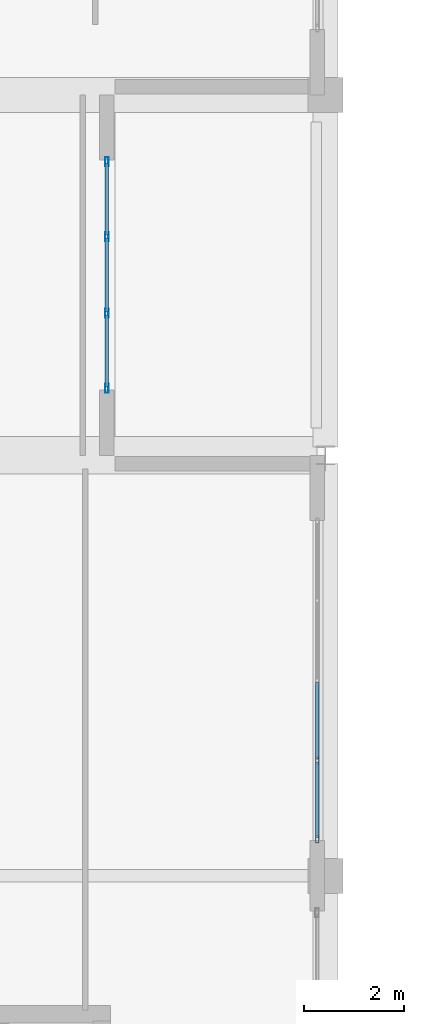
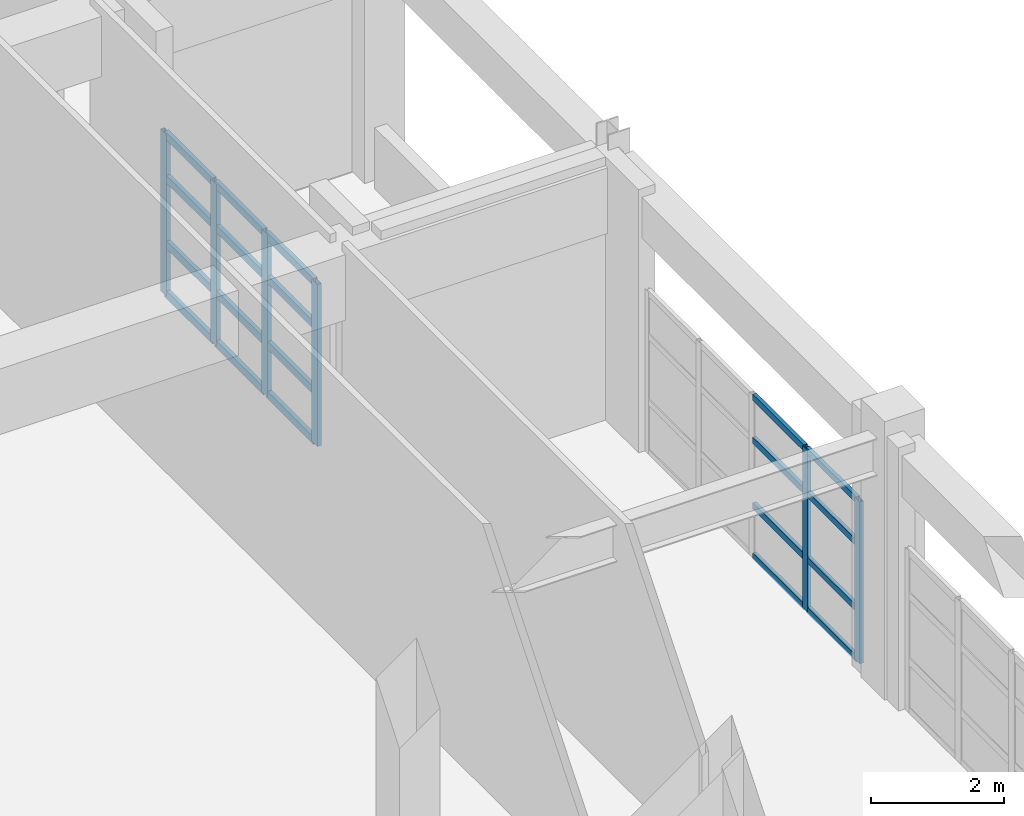
# One storey, part 21 of 103: 26 members, 2 elements without a shape of their own.
"""IFC4 building model written with IfcOpenShell, lengths in metres."""

from ifc_helpers import new_model, si_unit, direction, frame, origin, origin_2d, place, context, subcontext, project, spatial, hollow_rectangle, extrude, material, layer, layer_set, material_profile, profile_set, type_object, element, aggregate, save


model = new_model("IFC4")

# Units and contexts
model_context = context("Model", 3, precision=1e-05, world=origin(), true_north=direction((0.0, 1.0)))
body_context = subcontext(model_context, "Body", "Model", "MODEL_VIEW")
ifc_project = project(units=[si_unit("LENGTHUNIT", "METRE"), si_unit("AREAUNIT", "SQUARE_METRE"), si_unit("VOLUMEUNIT", "CUBIC_METRE"), si_unit("PLANEANGLEUNIT", "RADIAN"), si_unit("MASSUNIT", "GRAM", prefix="KILO")], contexts=[model_context])

# Site, building, storey
site_placement = place(None, origin())
site = spatial("IfcSite", under=ifc_project, at=site_placement, CompositionType="ELEMENT")
building_placement = place(site_placement, origin())
building = spatial("IfcBuilding", under=site, at=building_placement, Name="Quendrovan Civic Courthouse", CompositionType="ELEMENT")
storey_placement = place(building_placement, frame((0.0, 0.0, 15.300048828125)))
storey = spatial("IfcBuildingStorey", under=building, at=storey_placement, Name="L04", CompositionType="ELEMENT", Elevation=15.300048828125)

# Curtain wall, members
ifc_material_1 = material(Name="Bronze anodised aluminium and low-E glass", Category="aluminium")
ifc_layer_1 = layer(ifc_material_1, 0.179931640625, Name="Bronze anodised aluminium and low-E glass")
ifc_layer_set_1 = layer_set([ifc_layer_1], Name="Bronze anodised aluminium and low-E glass")
curtain_wall_type_1 = type_object("IfcCurtainWallType", Name="CW-U46x30", PredefinedType="USERDEFINED", material=ifc_layer_set_1)
curtain_wall_1_placement = place(storey_placement, origin())
curtain_wall_1 = element("IfcCurtainWall", 1, at=curtain_wall_1_placement, inside=storey, type_object=curtain_wall_type_1, Name="L04 Unitised Hurricane Curtain Wall CW-148", ObjectType="UNITISED CURTAIN WALL", PredefinedType="USERDEFINED")
ifc_material_2 = material(Name="Bronze anodised aluminium", Category="aluminium")
ifc_material_profile_1 = material_profile(ifc_material_2, hollow_rectangle(XDim=0.070068359375, YDim=0.179931640625, WallThickness=0.00390625, at=origin_2d()), Name="CW-MULL-70x180")
ifc_profile_set_1 = profile_set([ifc_material_profile_1], Name="Bronze anodised aluminium")
member_type_1 = type_object("IfcMemberType", Name="CW-MULL-A", PredefinedType="MULLION", material=ifc_profile_set_1)
member_1_placement = place(storey_placement, frame((12.43505859375, 79.06494140625, 0.0), z_axis=(0.0, 0.0, 1.0), x_axis=(1.0, 0.0, 0.0)))
member_1 = element("IfcMember", 2, at=member_1_placement, type_object=member_type_1, Name="CW-148 mullion 1", PredefinedType="MULLION", context=body_context, shape_type="SweptSolid", body=[
    extrude(hollow_rectangle(XDim=0.070068359375, YDim=0.179931640625, WallThickness=0.00390625, at=origin_2d()), origin(), (0.0, 0.0, 1.0), 2.969970703125),
])
member_2_placement = place(storey_placement, frame((12.43505859375, 77.566650390625, 0.0), z_axis=(0.0, 0.0, 1.0), x_axis=(1.0, 0.0, 0.0)))
member_2 = element("IfcMember", 3, at=member_2_placement, type_object=member_type_1, Name="CW-148 mullion 2", PredefinedType="MULLION", context=body_context, shape_type="SweptSolid", body=[
    extrude(hollow_rectangle(XDim=0.070068359375, YDim=0.179931640625, WallThickness=0.00390625, at=origin_2d()), origin(), (0.0, 0.0, 1.0), 2.969970703125),
])
member_3_placement = place(storey_placement, frame((12.43505859375, 76.033447265625, 0.0), z_axis=(0.0, 0.0, 1.0), x_axis=(1.0, 0.0, 0.0)))
member_3 = element("IfcMember", 4, at=member_3_placement, type_object=member_type_1, Name="CW-148 mullion 3", PredefinedType="MULLION", context=body_context, shape_type="SweptSolid", body=[
    extrude(hollow_rectangle(XDim=0.070068359375, YDim=0.179931640625, WallThickness=0.00390625, at=origin_2d()), origin(), (0.0, 0.0, 1.0), 2.969970703125),
])
member_4_placement = place(storey_placement, frame((12.43505859375, 74.534912109375, 0.0), z_axis=(0.0, 0.0, 1.0), x_axis=(1.0, 0.0, 0.0)))
member_4 = element("IfcMember", 5, at=member_4_placement, type_object=member_type_1, Name="CW-148 mullion 4", PredefinedType="MULLION", context=body_context, shape_type="SweptSolid", body=[
    extrude(hollow_rectangle(XDim=0.070068359375, YDim=0.179931640625, WallThickness=0.00390625, at=origin_2d()), origin(), (0.0, 0.0, 1.0), 2.969970703125),
])

ifc_layer_2 = layer(ifc_material_1, 0.179931640625, Name="Bronze anodised aluminium and low-E glass")
ifc_layer_set_2 = layer_set([ifc_layer_2], Name="Bronze anodised aluminium and low-E glass")
curtain_wall_type_2 = type_object("IfcCurtainWallType", Name="CW-U64x30", PredefinedType="USERDEFINED", material=ifc_layer_set_2)
curtain_wall_2_placement = place(storey_placement, origin())
curtain_wall_2 = element("IfcCurtainWall", 6, at=curtain_wall_2_placement, inside=storey, type_object=curtain_wall_type_2, Name="L04 Unitised Hurricane Curtain Wall CW-149", ObjectType="UNITISED CURTAIN WALL", PredefinedType="USERDEFINED")
ifc_material_profile_2 = material_profile(ifc_material_2, hollow_rectangle(XDim=0.06494140625, YDim=0.14990234375, WallThickness=0.00390625, at=origin_2d()), Name="CW-MULL-65x150")
ifc_profile_set_2 = profile_set([ifc_material_profile_2], Name="Bronze anodised aluminium")
member_type_2 = type_object("IfcMemberType", Name="CW-MULL-B", PredefinedType="MULLION", material=ifc_profile_set_2)
member_5_placement = place(storey_placement, frame((16.635009765625, 67.10009765625, 0.0), z_axis=(0.0, 0.0, 1.0), x_axis=(1.0, 0.0, 0.0)))
member_5 = element("IfcMember", 7, at=member_5_placement, type_object=member_type_2, Name="CW-149 mullion 4", PredefinedType="MULLION", context=body_context, shape_type="SweptSolid", body=[
    extrude(hollow_rectangle(XDim=0.06494140625, YDim=0.14990234375, WallThickness=0.00390625, at=origin_2d()), origin(), (0.0, 0.0, 1.0), 2.969970703125),
])
member_6_placement = place(storey_placement, frame((16.635009765625, 65.532470703125, 0.0), z_axis=(0.0, 0.0, 1.0), x_axis=(1.0, 0.0, 0.0)))
member_6 = element("IfcMember", 8, at=member_6_placement, type_object=member_type_2, Name="CW-149 mullion 5", PredefinedType="MULLION", context=body_context, shape_type="SweptSolid", body=[
    extrude(hollow_rectangle(XDim=0.06494140625, YDim=0.14990234375, WallThickness=0.00390625, at=origin_2d()), origin(), (0.0, 0.0, 1.0), 2.969970703125),
])

# Member
ifc_material_profile_3 = material_profile(ifc_material_2, hollow_rectangle(XDim=0.070068359375, YDim=0.139892578125, WallThickness=0.00390625, at=origin_2d()), Name="CW-TRAN-70x140")
ifc_profile_set_3 = profile_set([ifc_material_profile_3], Name="Bronze anodised aluminium")
member_type_3 = type_object("IfcMemberType", Name="CW-TRAN-A", PredefinedType="USERDEFINED", material=ifc_profile_set_3)
member_7_placement = place(storey_placement, frame((12.43505859375, 79.030029296875, 0.034912109375), z_axis=(0.0, -1.0, 0.0), x_axis=(1.0, 0.0, 0.0)))
member_7 = element("IfcMember", 9, at=member_7_placement, type_object=member_type_3, Name="CW-148 transom 1.1", ObjectType="TRANSOM", PredefinedType="USERDEFINED", context=body_context, shape_type="SweptSolid", body=[
    extrude(hollow_rectangle(XDim=0.070068359375, YDim=0.139892578125, WallThickness=0.00390625, at=origin_2d()), origin(), (0.0, 0.0, 1.0), 1.428466796875),
])

member_8_placement = place(storey_placement, frame((12.43505859375, 79.030029296875, 0.949951171875), z_axis=(0.0, -1.0, 0.0), x_axis=(1.0, 0.0, 0.0)))
member_8 = element("IfcMember", 10, at=member_8_placement, type_object=member_type_3, Name="CW-148 transom 1.2", ObjectType="TRANSOM", PredefinedType="USERDEFINED", context=body_context, shape_type="SweptSolid", body=[
    extrude(hollow_rectangle(XDim=0.070068359375, YDim=0.139892578125, WallThickness=0.00390625, at=origin_2d()), origin(), (0.0, 0.0, 1.0), 1.428466796875),
])

member_9_placement = place(storey_placement, frame((12.43505859375, 79.030029296875, 2.14990234375), z_axis=(0.0, -1.0, 0.0), x_axis=(1.0, 0.0, 0.0)))
member_9 = element("IfcMember", 11, at=member_9_placement, type_object=member_type_3, Name="CW-148 transom 1.3", ObjectType="TRANSOM", PredefinedType="USERDEFINED", context=body_context, shape_type="SweptSolid", body=[
    extrude(hollow_rectangle(XDim=0.070068359375, YDim=0.139892578125, WallThickness=0.00390625, at=origin_2d()), origin(), (0.0, 0.0, 1.0), 1.428466796875),
])

member_10_placement = place(storey_placement, frame((12.43505859375, 79.030029296875, 2.93505859375), z_axis=(0.0, -1.0, 0.0), x_axis=(1.0, 0.0, 0.0)))
member_10 = element("IfcMember", 12, at=member_10_placement, type_object=member_type_3, Name="CW-148 transom 1.4", ObjectType="TRANSOM", PredefinedType="USERDEFINED", context=body_context, shape_type="SweptSolid", body=[
    extrude(hollow_rectangle(XDim=0.070068359375, YDim=0.139892578125, WallThickness=0.00390625, at=origin_2d()), origin(), (0.0, 0.0, 1.0), 1.428466796875),
])

member_11_placement = place(storey_placement, frame((12.43505859375, 77.53173828125, 0.034912109375), z_axis=(0.0, -1.0, 0.0), x_axis=(1.0, 0.0, 0.0)))
member_11 = element("IfcMember", 13, at=member_11_placement, type_object=member_type_3, Name="CW-148 transom 2.1", ObjectType="TRANSOM", PredefinedType="USERDEFINED", context=body_context, shape_type="SweptSolid", body=[
    extrude(hollow_rectangle(XDim=0.070068359375, YDim=0.139892578125, WallThickness=0.00390625, at=origin_2d()), origin(), (0.0, 0.0, 1.0), 1.46337890625),
])

member_12_placement = place(storey_placement, frame((12.43505859375, 77.53173828125, 0.949951171875), z_axis=(0.0, -1.0, 0.0), x_axis=(1.0, 0.0, 0.0)))
member_12 = element("IfcMember", 14, at=member_12_placement, type_object=member_type_3, Name="CW-148 transom 2.2", ObjectType="TRANSOM", PredefinedType="USERDEFINED", context=body_context, shape_type="SweptSolid", body=[
    extrude(hollow_rectangle(XDim=0.070068359375, YDim=0.139892578125, WallThickness=0.00390625, at=origin_2d()), origin(), (0.0, 0.0, 1.0), 1.46337890625),
])

member_13_placement = place(storey_placement, frame((12.43505859375, 77.53173828125, 2.14990234375), z_axis=(0.0, -1.0, 0.0), x_axis=(1.0, 0.0, 0.0)))
member_13 = element("IfcMember", 15, at=member_13_placement, type_object=member_type_3, Name="CW-148 transom 2.3", ObjectType="TRANSOM", PredefinedType="USERDEFINED", context=body_context, shape_type="SweptSolid", body=[
    extrude(hollow_rectangle(XDim=0.070068359375, YDim=0.139892578125, WallThickness=0.00390625, at=origin_2d()), origin(), (0.0, 0.0, 1.0), 1.46337890625),
])

member_14_placement = place(storey_placement, frame((12.43505859375, 77.53173828125, 2.93505859375), z_axis=(0.0, -1.0, 0.0), x_axis=(1.0, 0.0, 0.0)))
member_14 = element("IfcMember", 16, at=member_14_placement, type_object=member_type_3, Name="CW-148 transom 2.4", ObjectType="TRANSOM", PredefinedType="USERDEFINED", context=body_context, shape_type="SweptSolid", body=[
    extrude(hollow_rectangle(XDim=0.070068359375, YDim=0.139892578125, WallThickness=0.00390625, at=origin_2d()), origin(), (0.0, 0.0, 1.0), 1.46337890625),
])

member_15_placement = place(storey_placement, frame((12.43505859375, 75.998291015625, 0.034912109375), z_axis=(0.0, -1.0, 0.0), x_axis=(1.0, 0.0, 0.0)))
member_15 = element("IfcMember", 17, at=member_15_placement, type_object=member_type_3, Name="CW-148 transom 3.1", ObjectType="TRANSOM", PredefinedType="USERDEFINED", context=body_context, shape_type="SweptSolid", body=[
    extrude(hollow_rectangle(XDim=0.070068359375, YDim=0.139892578125, WallThickness=0.00390625, at=origin_2d()), origin(), (0.0, 0.0, 1.0), 1.42822265625),
])

member_16_placement = place(storey_placement, frame((12.43505859375, 75.998291015625, 0.949951171875), z_axis=(0.0, -1.0, 0.0), x_axis=(1.0, 0.0, 0.0)))
member_16 = element("IfcMember", 18, at=member_16_placement, type_object=member_type_3, Name="CW-148 transom 3.2", ObjectType="TRANSOM", PredefinedType="USERDEFINED", context=body_context, shape_type="SweptSolid", body=[
    extrude(hollow_rectangle(XDim=0.070068359375, YDim=0.139892578125, WallThickness=0.00390625, at=origin_2d()), origin(), (0.0, 0.0, 1.0), 1.42822265625),
])

member_17_placement = place(storey_placement, frame((12.43505859375, 75.998291015625, 2.14990234375), z_axis=(0.0, -1.0, 0.0), x_axis=(1.0, 0.0, 0.0)))
member_17 = element("IfcMember", 19, at=member_17_placement, type_object=member_type_3, Name="CW-148 transom 3.3", ObjectType="TRANSOM", PredefinedType="USERDEFINED", context=body_context, shape_type="SweptSolid", body=[
    extrude(hollow_rectangle(XDim=0.070068359375, YDim=0.139892578125, WallThickness=0.00390625, at=origin_2d()), origin(), (0.0, 0.0, 1.0), 1.42822265625),
])

member_18_placement = place(storey_placement, frame((12.43505859375, 75.998291015625, 2.93505859375), z_axis=(0.0, -1.0, 0.0), x_axis=(1.0, 0.0, 0.0)))
member_18 = element("IfcMember", 20, at=member_18_placement, type_object=member_type_3, Name="CW-148 transom 3.4", ObjectType="TRANSOM", PredefinedType="USERDEFINED", context=body_context, shape_type="SweptSolid", body=[
    extrude(hollow_rectangle(XDim=0.070068359375, YDim=0.139892578125, WallThickness=0.00390625, at=origin_2d()), origin(), (0.0, 0.0, 1.0), 1.42822265625),
])

aggregate(curtain_wall_1, [member_1, member_2, member_3, member_4, member_7, member_8, member_9, member_10, member_11, member_12, member_13, member_14, member_15, member_16, member_17, member_18])

ifc_material_profile_4 = material_profile(ifc_material_2, hollow_rectangle(XDim=0.06494140625, YDim=0.114990234375, WallThickness=0.00390625, at=origin_2d()), Name="CW-TRAN-65x115")
ifc_profile_set_4 = profile_set([ifc_material_profile_4], Name="Bronze anodised aluminium")
member_type_4 = type_object("IfcMemberType", Name="CW-TRAN-B", PredefinedType="USERDEFINED", material=ifc_profile_set_4)
member_19_placement = place(storey_placement, frame((16.635009765625, 68.66748046875, 0.032470703125), z_axis=(0.0, -1.0, 0.0), x_axis=(1.0, 0.0, 0.0)))
member_19 = element("IfcMember", 21, at=member_19_placement, type_object=member_type_4, Name="CW-149 transom 3.1", ObjectType="TRANSOM", PredefinedType="USERDEFINED", context=body_context, shape_type="SweptSolid", body=[
    extrude(hollow_rectangle(XDim=0.06494140625, YDim=0.114990234375, WallThickness=0.00390625, at=origin_2d()), origin(), (0.0, 0.0, 1.0), 1.534912109375),
])

member_20_placement = place(storey_placement, frame((16.635009765625, 68.66748046875, 0.949951171875), z_axis=(0.0, -1.0, 0.0), x_axis=(1.0, 0.0, 0.0)))
member_20 = element("IfcMember", 22, at=member_20_placement, type_object=member_type_4, Name="CW-149 transom 3.2", ObjectType="TRANSOM", PredefinedType="USERDEFINED", context=body_context, shape_type="SweptSolid", body=[
    extrude(hollow_rectangle(XDim=0.06494140625, YDim=0.114990234375, WallThickness=0.00390625, at=origin_2d()), origin(), (0.0, 0.0, 1.0), 1.534912109375),
])

member_21_placement = place(storey_placement, frame((16.635009765625, 68.66748046875, 2.14990234375), z_axis=(0.0, -1.0, 0.0), x_axis=(1.0, 0.0, 0.0)))
member_21 = element("IfcMember", 23, at=member_21_placement, type_object=member_type_4, Name="CW-149 transom 3.3", ObjectType="TRANSOM", PredefinedType="USERDEFINED", context=body_context, shape_type="SweptSolid", body=[
    extrude(hollow_rectangle(XDim=0.06494140625, YDim=0.114990234375, WallThickness=0.00390625, at=origin_2d()), origin(), (0.0, 0.0, 1.0), 1.534912109375),
])

member_22_placement = place(storey_placement, frame((16.635009765625, 68.66748046875, 2.9375), z_axis=(0.0, -1.0, 0.0), x_axis=(1.0, 0.0, 0.0)))
member_22 = element("IfcMember", 24, at=member_22_placement, type_object=member_type_4, Name="CW-149 transom 3.4", ObjectType="TRANSOM", PredefinedType="USERDEFINED", context=body_context, shape_type="SweptSolid", body=[
    extrude(hollow_rectangle(XDim=0.06494140625, YDim=0.114990234375, WallThickness=0.00390625, at=origin_2d()), origin(), (0.0, 0.0, 1.0), 1.534912109375),
])

member_23_placement = place(storey_placement, frame((16.635009765625, 67.0673828125, 0.032470703125), z_axis=(0.0, -1.0, 0.0), x_axis=(1.0, 0.0, 0.0)))
member_23 = element("IfcMember", 25, at=member_23_placement, type_object=member_type_4, Name="CW-149 transom 4.1", ObjectType="TRANSOM", PredefinedType="USERDEFINED", context=body_context, shape_type="SweptSolid", body=[
    extrude(hollow_rectangle(XDim=0.06494140625, YDim=0.114990234375, WallThickness=0.00390625, at=origin_2d()), origin(), (0.0, 0.0, 1.0), 1.50244140625),
])

member_24_placement = place(storey_placement, frame((16.635009765625, 67.0673828125, 0.949951171875), z_axis=(0.0, -1.0, 0.0), x_axis=(1.0, 0.0, 0.0)))
member_24 = element("IfcMember", 26, at=member_24_placement, type_object=member_type_4, Name="CW-149 transom 4.2", ObjectType="TRANSOM", PredefinedType="USERDEFINED", context=body_context, shape_type="SweptSolid", body=[
    extrude(hollow_rectangle(XDim=0.06494140625, YDim=0.114990234375, WallThickness=0.00390625, at=origin_2d()), origin(), (0.0, 0.0, 1.0), 1.50244140625),
])

member_25_placement = place(storey_placement, frame((16.635009765625, 67.0673828125, 2.14990234375), z_axis=(0.0, -1.0, 0.0), x_axis=(1.0, 0.0, 0.0)))
member_25 = element("IfcMember", 27, at=member_25_placement, type_object=member_type_4, Name="CW-149 transom 4.3", ObjectType="TRANSOM", PredefinedType="USERDEFINED", context=body_context, shape_type="SweptSolid", body=[
    extrude(hollow_rectangle(XDim=0.06494140625, YDim=0.114990234375, WallThickness=0.00390625, at=origin_2d()), origin(), (0.0, 0.0, 1.0), 1.50244140625),
])

member_26_placement = place(storey_placement, frame((16.635009765625, 67.0673828125, 2.9375), z_axis=(0.0, -1.0, 0.0), x_axis=(1.0, 0.0, 0.0)))
member_26 = element("IfcMember", 28, at=member_26_placement, type_object=member_type_4, Name="CW-149 transom 4.4", ObjectType="TRANSOM", PredefinedType="USERDEFINED", context=body_context, shape_type="SweptSolid", body=[
    extrude(hollow_rectangle(XDim=0.06494140625, YDim=0.114990234375, WallThickness=0.00390625, at=origin_2d()), origin(), (0.0, 0.0, 1.0), 1.50244140625),
])

aggregate(curtain_wall_2, [member_5, member_6, member_19, member_20, member_21, member_22, member_23, member_24, member_25, member_26])

save(model, "model.ifc")
